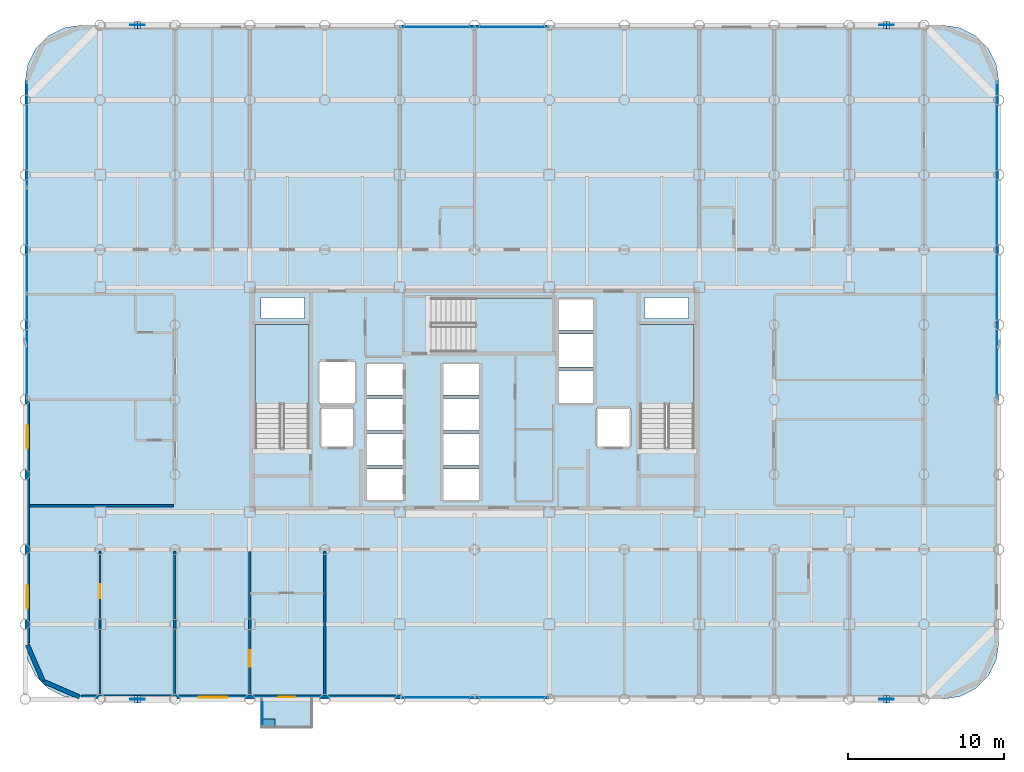
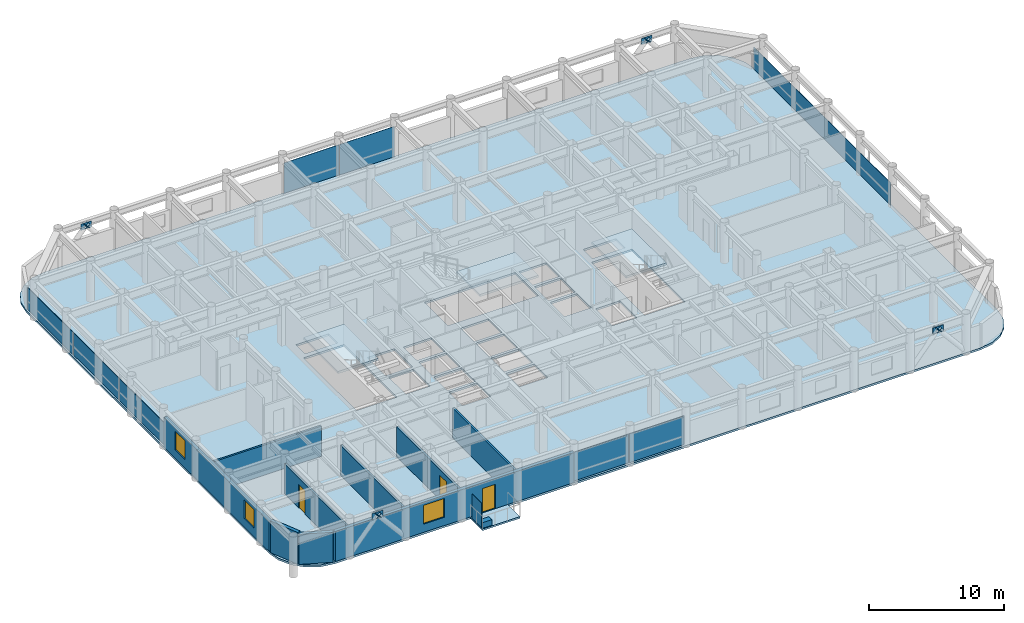
# One storey, part 16 of 22: 22 plates, 9 walls, 5 slabs, 3 doors, 3 windows, 6 openings, 7 elements without a shape of their own.
"""IFC4 building model written with IfcOpenShell, lengths in metres."""

from ifc_helpers import new_model, si_unit, direction, frame, frame_2d, origin, origin_2d, place, context, subcontext, project, spatial, polyline, rectangle, outline, extrude, material, layer, layer_set, type_object, element, fill, aggregate, save


model = new_model("IFC4")

# Units and contexts
model_context = context("Model", 3, precision=1e-05, world=origin(), true_north=direction((0.0, 1.0)))
body_context = subcontext(model_context, "Body", "Model", "MODEL_VIEW")
ifc_project = project(units=[si_unit("LENGTHUNIT", "METRE"), si_unit("AREAUNIT", "SQUARE_METRE"), si_unit("VOLUMEUNIT", "CUBIC_METRE"), si_unit("PLANEANGLEUNIT", "RADIAN"), si_unit("MASSUNIT", "GRAM", prefix="KILO")], contexts=[model_context])

# Site, building, storey
site_placement = place(None, origin())
site = spatial("IfcSite", under=ifc_project, at=site_placement, CompositionType="ELEMENT")
building_placement = place(site_placement, origin())
building = spatial("IfcBuilding", under=site, at=building_placement, Name="Kallvorn Hotel Tower", CompositionType="ELEMENT")
storey_placement = place(building_placement, frame((0.0, 0.0, 102.60009765625)))
storey = spatial("IfcBuildingStorey", under=building, at=storey_placement, Name="L24", CompositionType="ELEMENT", Elevation=102.60009765625)

# Curtain wall, plates
ifc_material_1 = material(Name="Thermally broken black-anodised aluminium AA 6063-T6", Category="aluminium")
ifc_layer_1 = layer(ifc_material_1, 0.199951171875)
ifc_layer_set_1 = layer_set([ifc_layer_1], Name="CW_SYS_3_HOTEL_LOW")
curtain_wall_type = type_object("IfcCurtainWallType", Name="CW_SYS_3_HOTEL_LOW", PredefinedType="USERDEFINED", material=ifc_layer_set_1)
curtain_wall_1_placement = place(storey_placement, origin())
curtain_wall_1 = element("IfcCurtainWall", 1, at=curtain_wall_1_placement, inside=storey, type_object=curtain_wall_type, Name="L24 Dark-Glass Curtain Wall CW-L24-SC", ObjectType="UNITISED CURTAIN WALL", PredefinedType="USERDEFINED")
ifc_material_2 = material(Name="Double-glazed low-e solar-control dark glass", Category="glass")
ifc_layer_2 = layer(ifc_material_2, 0.035888671875)
ifc_layer_set_2 = layer_set([ifc_layer_2], Name="CW_SYS_3_HOTEL_LOW_PANEL")
plate_type_1 = type_object("IfcPlateType", Name="CW_SYS_3_HOTEL_LOW_PANEL", PredefinedType="CURTAIN_PANEL", material=ifc_layer_set_2)
plate_1_placement = place(storey_placement, frame((-2.375, -19.080078125, 0.059814453125), z_axis=(0.0, 0.0, 1.0), x_axis=(1.0, 0.0, 0.0)))
plate_1 = element("IfcPlate", 2, at=plate_1_placement, type_object=plate_type_1, Name="CW-L24-SC Vision Glass Panel 00", PredefinedType="CURTAIN_PANEL", context=body_context, shape_type="SweptSolid", body=[
    extrude(rectangle(XDim=4.68994140625, YDim=0.035888671875, at=origin_2d()), origin(), (0.0, 0.0, 1.0), 2.60009765625),
])
plate_2_placement = place(storey_placement, frame((2.375, -19.080078125, 0.059814453125), z_axis=(0.0, 0.0, 1.0), x_axis=(1.0, 0.0, 0.0)))
plate_2 = element("IfcPlate", 3, at=plate_2_placement, type_object=plate_type_1, Name="CW-L24-SC Vision Glass Panel 01", PredefinedType="CURTAIN_PANEL", context=body_context, shape_type="SweptSolid", body=[
    extrude(rectangle(XDim=4.68994140625, YDim=0.035888671875, at=origin_2d()), origin(), (0.0, 0.0, 1.0), 2.60009765625),
])
aggregate(curtain_wall_1, [plate_1, plate_2])

curtain_wall_2_placement = place(storey_placement, origin())
curtain_wall_2 = element("IfcCurtainWall", 4, at=curtain_wall_2_placement, inside=storey, type_object=curtain_wall_type, Name="L24 Dark-Glass Curtain Wall CW-L24-NC", ObjectType="UNITISED CURTAIN WALL", PredefinedType="USERDEFINED")
plate_3_placement = place(storey_placement, frame((-2.375, 23.8798828125, 0.059814453125), z_axis=(0.0, 0.0, 1.0), x_axis=(1.0, 0.0, 0.0)))
plate_3 = element("IfcPlate", 5, at=plate_3_placement, type_object=plate_type_1, Name="CW-L24-NC Vision Glass Panel 00", PredefinedType="CURTAIN_PANEL", context=body_context, shape_type="SweptSolid", body=[
    extrude(rectangle(XDim=4.68994140625, YDim=0.035888671875, at=origin_2d()), origin(), (0.0, 0.0, 1.0), 2.75),
])
plate_4_placement = place(storey_placement, frame((2.375, 23.8798828125, 0.059814453125), z_axis=(0.0, 0.0, 1.0), x_axis=(1.0, 0.0, 0.0)))
plate_4 = element("IfcPlate", 6, at=plate_4_placement, type_object=plate_type_1, Name="CW-L24-NC Vision Glass Panel 01", PredefinedType="CURTAIN_PANEL", context=body_context, shape_type="SweptSolid", body=[
    extrude(rectangle(XDim=4.68994140625, YDim=0.035888671875, at=origin_2d()), origin(), (0.0, 0.0, 1.0), 2.75),
])
aggregate(curtain_wall_2, [plate_3, plate_4])

curtain_wall_3_placement = place(storey_placement, origin())
curtain_wall_3 = element("IfcCurtainWall", 7, at=curtain_wall_3_placement, inside=storey, type_object=curtain_wall_type, Name="L24 Dark-Glass Curtain Wall CW-L24-WN", ObjectType="UNITISED CURTAIN WALL", PredefinedType="USERDEFINED")
plate_5_placement = place(storey_placement, frame((-28.679931640625, 3.41650390625, 0.059814453125), z_axis=(0.0, 0.0, 1.0), x_axis=(0.0, 1.0, 0.0)))
plate_5 = element("IfcPlate", 8, at=plate_5_placement, type_object=plate_type_1, Name="CW-L24-WN Vision Glass Panel 00", PredefinedType="CURTAIN_PANEL", context=body_context, shape_type="SweptSolid", body=[
    extrude(rectangle(XDim=6.7333984375, YDim=0.035888671875, at=origin_2d()), origin(), (0.0, 0.0, 1.0), 2.0),
])
plate_6_placement = place(storey_placement, frame((-28.679931640625, 10.2099609375, 0.059814453125), z_axis=(0.0, 0.0, 1.0), x_axis=(0.0, 1.0, 0.0)))
plate_6 = element("IfcPlate", 9, at=plate_6_placement, type_object=plate_type_1, Name="CW-L24-WN Vision Glass Panel 01", PredefinedType="CURTAIN_PANEL", context=body_context, shape_type="SweptSolid", body=[
    extrude(rectangle(XDim=6.7333984375, YDim=0.035888671875, at=origin_2d()), origin(), (0.0, 0.0, 1.0), 2.0),
])
plate_7_placement = place(storey_placement, frame((-28.679931640625, 17.00341796875, 0.059814453125), z_axis=(0.0, 0.0, 1.0), x_axis=(0.0, 1.0, 0.0)))
plate_7 = element("IfcPlate", 10, at=plate_7_placement, type_object=plate_type_1, Name="CW-L24-WN Vision Glass Panel 02", PredefinedType="CURTAIN_PANEL", context=body_context, shape_type="SweptSolid", body=[
    extrude(rectangle(XDim=6.7333984375, YDim=0.035888671875, at=origin_2d()), origin(), (0.0, 0.0, 1.0), 2.0),
])
aggregate(curtain_wall_3, [plate_5, plate_6, plate_7])

# Curtain wall, plate
curtain_wall_4_placement = place(storey_placement, origin())
curtain_wall_4 = element("IfcCurtainWall", 11, at=curtain_wall_4_placement, inside=storey, type_object=curtain_wall_type, Name="L24 Dark-Glass Curtain Wall CW-L24-EN", ObjectType="UNITISED CURTAIN WALL", PredefinedType="USERDEFINED")
plate_8_placement = place(storey_placement, frame((33.47998046875, 10.2099609375, 0.059814453125), z_axis=(0.0, 0.0, 1.0), x_axis=(0.0, 1.0, 0.0)))
plate_8 = element("IfcPlate", 12, at=plate_8_placement, type_object=plate_type_1, Name="CW-L24-EN Vision Glass Panel 00", PredefinedType="CURTAIN_PANEL", context=body_context, shape_type="SweptSolid", body=[
    extrude(rectangle(XDim=20.320068359375, YDim=0.035888671875, at=origin_2d()), origin(), (0.0, 0.0, 1.0), 2.0),
])
aggregate(curtain_wall_4, [plate_8])

# Plates
ifc_material_3 = material(Name="Structural steel S355JR", Category="steel")
ifc_layer_3 = layer(ifc_material_3, 0.030029296875)
ifc_layer_set_3 = layer_set([ifc_layer_3], Name="PLT_CAP_30")
plate_type_2 = type_object("IfcPlateType", Name="PLT_CAP_30", PredefinedType="SHEET", material=ifc_layer_set_3)
for number, where, z_axis, x_axis, name in (
    (13, (-21.407958984375, -19.443115234375, 2.860107421875), (0.646774094145, 0.0, 0.762681631575), (0.0, 1.0, 0.0), "EXO-L24-S1A End Cap Plate B"),
    (14, (-21.7919921875, -18.956787109375, 2.860107421875), (-0.646774094145, 0.0, 0.762681631575), (0.0, -1.0, 0.0), "EXO-L24-S1B End Cap Plate B"),
    (15, (26.592041015625, -19.443115234375, 2.860107421875), (0.646774094145, 0.0, 0.762681631575), (0.0, 1.0, 0.0), "EXO-L24-S2A End Cap Plate B"),
    (16, (26.2080078125, -18.956787109375, 2.860107421875), (-0.646774094145, 0.0, 0.762681631575), (0.0, -1.0, 0.0), "EXO-L24-S2B End Cap Plate B"),
    (17, (-21.407958984375, 23.7568359375, 2.860107421875), (0.646774094145, 0.0, 0.762681631575), (0.0, 1.0, 0.0), "EXO-L24-N1A End Cap Plate B"),
    (18, (-21.7919921875, 24.2431640625, 2.860107421875), (-0.646774094145, 0.0, 0.762681631575), (0.0, -1.0, 0.0), "EXO-L24-N1B End Cap Plate B"),
    (19, (26.592041015625, 23.7568359375, 2.860107421875), (0.646774094145, 0.0, 0.762681631575), (0.0, 1.0, 0.0), "EXO-L24-N2A End Cap Plate B"),
    (20, (26.2080078125, 24.2431640625, 2.860107421875), (-0.646774094145, 0.0, 0.762681631575), (0.0, -1.0, 0.0), "EXO-L24-N2B End Cap Plate B"),
):
    element("IfcPlate", number, at=place(storey_placement, frame(where, z_axis=z_axis, x_axis=x_axis)), inside=storey, type_object=plate_type_2, Name=name, PredefinedType="SHEET", context=body_context, shape_type="SweptSolid", body=[
        extrude(outline(polyline([(0.0, 0.0), (0.486328125, 0.0), (0.486328125, 0.4865644256220488), (0.0, 0.4865644256220488), (0.0, 0.0)])), origin(), (0.0, 0.0, -1.0), 0.030029296875),
    ])
ifc_material_4 = material(Name="Stainless-steel cable trellis and botanical substrate", Category="steel")
ifc_layer_4 = layer(ifc_material_4, 0.034912109375)
ifc_layer_set_4 = layer_set([ifc_layer_4], Name="PLT_GREENERY_SCR")
plate_type_3 = type_object("IfcPlateType", Name="PLT_GREENERY_SCR", PredefinedType="USERDEFINED", material=ifc_layer_set_4)
plate_9_placement = place(storey_placement, frame((-13.590087890625, -20.10009765625, 0.0), z_axis=(0.0, 0.0, 1.0), x_axis=(1.0, 0.0, 0.0)))
element("IfcPlate", 21, at=plate_9_placement, inside=storey, type_object=plate_type_3, Name="BALC-L24-S1 Vertical Greenery Trellis Screen", ObjectType="VERTICAL GREENERY SCREEN", PredefinedType="USERDEFINED", context=body_context, shape_type="SweptSolid", body=[
    extrude(rectangle(XDim=0.034912109375, YDim=1.39990234375, at=origin_2d()), origin(), (0.0, 0.0, 1.0), 2.199951171875),
])
ifc_material_5 = material(Name="Structural steel S355JR", Category="steel")
ifc_layer_5 = layer(ifc_material_5, 0.044921875)
ifc_layer_set_5 = layer_set([ifc_layer_5], Name="PLT_GUSSET_45")
plate_type_4 = type_object("IfcPlateType", Name="PLT_GUSSET_45", PredefinedType="USERDEFINED", material=ifc_layer_set_5)
for number, where, z_axis, x_axis, name in (
    (22, (-21.60009765625, -19.199951171875, 2.68994140625), (0.0, 0.0, 1.0), (1.0, 0.0, 0.0), "L24 Exoskeleton Node Gusset S1"),
    (23, (26.39990234375, -19.199951171875, 2.68994140625), (0.0, 0.0, 1.0), (1.0, 0.0, 0.0), "L24 Exoskeleton Node Gusset S2"),
    (24, (-21.60009765625, 24.0, 2.68994140625), (0.0, 0.0, 1.0), (1.0, 0.0, 0.0), "L24 Exoskeleton Node Gusset N1"),
    (25, (26.39990234375, 24.0, 2.68994140625), (0.0, 0.0, 1.0), (1.0, 0.0, 0.0), "L24 Exoskeleton Node Gusset N2"),
):
    element("IfcPlate", number, at=place(storey_placement, frame(where, z_axis=z_axis, x_axis=x_axis)), inside=storey, type_object=plate_type_4, Name=name, ObjectType="GUSSET PLATE", PredefinedType="USERDEFINED", context=body_context, shape_type="SweptSolid", body=[
        extrude(rectangle(XDim=0.89990234375, YDim=0.044921875, at=origin_2d()), origin(), (0.0, 0.0, 1.0), 0.56005859375),
    ])
ifc_material_6 = material(Name="Powder-coated marine-grade aluminium planter trough", Category="aluminium")
ifc_layer_6 = layer(ifc_material_6, 0.0400390625)
ifc_layer_set_6 = layer_set([ifc_layer_6], Name="PLT_PLANTER_TROUGH")
plate_type_5 = type_object("IfcPlateType", Name="PLT_PLANTER_TROUGH", PredefinedType="USERDEFINED", material=ifc_layer_set_6)
plate_10_placement = place(storey_placement, frame((-13.18994140625, -20.699951171875, 0.0), z_axis=(0.0, 0.0, 1.0), x_axis=(1.0, 0.0, 0.0)))
element("IfcPlate", 26, at=plate_10_placement, inside=storey, type_object=plate_type_5, Name="BALC-L24-S1 Facade Planter Trough", ObjectType="FACADE PLANTER TROUGH", PredefinedType="USERDEFINED", context=body_context, shape_type="SweptSolid", body=[
    extrude(rectangle(XDim=0.800048828125, YDim=0.449951171875, at=origin_2d()), origin(), (0.0, 0.0, 1.0), 0.5),
])

# Slab
ifc_material_7 = material(Name="Concrete C40/50", Category="concrete")
ifc_layer_7 = layer(ifc_material_7, 0.159912109375)
ifc_layer_set_7 = layer_set([ifc_layer_7], Name="SLB_BALCONY_160")
slab_type_1 = type_object("IfcSlabType", Name="SLB_BALCONY_160", PredefinedType="FLOOR", material=ifc_layer_set_7)
slab_1_placement = place(storey_placement, frame((0.0, 0.0, -0.16015625)))
element("IfcSlab", 27, at=slab_1_placement, inside=storey, type_object=slab_type_1, Name="L24 Planted Loggia Balcony BALC-L24-S1", PredefinedType="FLOOR", context=body_context, shape_type="SweptSolid", body=[
    extrude(outline(polyline([(-13.639892578125, -21.0), (-10.43994140625, -21.0), (-10.43994140625, -19.199951171875), (-13.639892578125, -19.199951171875), (-13.639892578125, -21.0)])), origin(), (0.0, 0.0, 1.0), 0.16015625),
])

# Stair, slab
ifc_material_8 = material(Name="Precast concrete C40/50", Category="concrete")
stair_type = type_object("IfcStairType", Name="STR_CORE_DOGLEG", PredefinedType="HALF_TURN_STAIR", material=ifc_material_8)
stair_1_placement = place(storey_placement, origin())
stair_1 = element("IfcStair", 28, at=stair_1_placement, inside=storey, type_object=stair_type, Name="L24 Exit stair ST1", PredefinedType="HALF_TURN_STAIR")
ifc_material_9 = material(Name="Precast concrete C40/50", Category="concrete")
ifc_layer_8 = layer(ifc_material_9, 0.179931640625)
ifc_layer_set_8 = layer_set([ifc_layer_8], Name="SLB_LANDING_180")
slab_type_2 = type_object("IfcSlabType", Name="SLB_LANDING_180", PredefinedType="LANDING", material=ifc_layer_set_8)
slab_2_placement = place(storey_placement, frame((0.0, 0.0, 1.64990234375)))
slab_2 = element("IfcSlab", 29, at=slab_2_placement, type_object=slab_type_2, Name="ST1 landing 1", PredefinedType="LANDING", context=body_context, shape_type="SweptSolid", body=[
    extrude(outline(polyline([(-10.60009765625, -0.31005859375), (-10.60009765625, 4.800048828125), (-14.06005859375, 4.800048828125), (-14.06005859375, -0.31005859375), (-10.60009765625, -0.31005859375)])), origin(), (0.0, 0.0, 1.0), 0.199951171875),
])
aggregate(stair_1, [slab_2])

stair_2_placement = place(storey_placement, origin())
stair_2 = element("IfcStair", 30, at=stair_2_placement, inside=storey, type_object=stair_type, Name="L24 Exit stair ST2", PredefinedType="HALF_TURN_STAIR")
slab_3_placement = place(storey_placement, frame((0.0, 0.0, 1.64990234375)))
slab_3 = element("IfcSlab", 31, at=slab_3_placement, type_object=slab_type_2, Name="ST2 landing 1", PredefinedType="LANDING", context=body_context, shape_type="SweptSolid", body=[
    extrude(outline(polyline([(14.06005859375, -0.31005859375), (14.06005859375, 4.800048828125), (10.60009765625, 4.800048828125), (10.60009765625, -0.31005859375), (14.06005859375, -0.31005859375)])), origin(), (0.0, 0.0, 1.0), 0.199951171875),
])
aggregate(stair_2, [slab_3])

stair_3_placement = place(storey_placement, origin())
stair_3 = element("IfcStair", 32, at=stair_3_placement, inside=storey, type_object=stair_type, Name="L24 Exit stair ST3", PredefinedType="HALF_TURN_STAIR")
slab_4_placement = place(storey_placement, frame((0.0, 0.0, 1.64990234375)))
slab_4 = element("IfcSlab", 33, at=slab_4_placement, type_object=slab_type_2, Name="ST3 landing 1", PredefinedType="LANDING", context=body_context, shape_type="SweptSolid", body=[
    extrude(outline(polyline([(0.0400390625, 3.050048828125), (5.050048828125, 3.050048828125), (5.050048828125, 6.510009765625), (0.0400390625, 6.510009765625), (0.0400390625, 3.050048828125)])), origin(), (0.0, 0.0, 1.0), 0.199951171875),
])
aggregate(stair_3, [slab_4])

# Slab
ifc_material_10 = material(Name="Concrete C40/50", Category="concrete")
ifc_layer_9 = layer(ifc_material_10, 0.179931640625)
ifc_layer_set_9 = layer_set([ifc_layer_9], Name="SLB_TOWER_180")
slab_type_3 = type_object("IfcSlabType", Name="SLB_TOWER_180", PredefinedType="FLOOR", material=ifc_layer_set_9)
slab_5_placement = place(storey_placement, frame((0.0, 0.0, -0.18017578125)))
element("IfcSlab", 34, at=slab_5_placement, inside=storey, type_object=slab_type_3, Name="L24 Structural Floor Slab", PredefinedType="FLOOR", context=body_context, shape_type="SweptSolid", body=[
    extrude(outline(polyline([(30.0, -19.199951171875), (31.112548828125, -19.023681640625), (32.115966796875, -18.512451171875), (32.91259765625, -17.716064453125), (33.423828125, -16.71240234375), (33.60009765625, -15.60009765625), (33.60009765625, 20.39990234375), (33.423828125, 21.512451171875), (32.91259765625, 22.51611328125), (32.115966796875, 23.3125), (31.112548828125, 23.82373046875), (30.0, 24.0), (-25.199951171875, 24.0), (-26.3125, 23.82373046875), (-27.31591796875, 23.3125), (-28.112548828125, 22.51611328125), (-28.623779296875, 21.512451171875), (-28.800048828125, 20.39990234375), (-28.800048828125, -15.60009765625), (-28.623779296875, -16.71240234375), (-28.112548828125, -17.716064453125), (-27.31591796875, -18.512451171875), (-26.3125, -19.023681640625), (-25.199951171875, -19.199951171875), (30.0, -19.199951171875)]), holes=[polyline([(-10.60009765625, -3.070068359375), (-10.60009765625, 4.800048828125), (-14.06005859375, 4.800048828125), (-14.06005859375, -3.070068359375), (-10.60009765625, -3.070068359375)]), polyline([(14.06005859375, -3.070068359375), (14.06005859375, 4.800048828125), (10.60009765625, 4.800048828125), (10.60009765625, -3.070068359375), (14.06005859375, -3.070068359375)]), polyline([(-2.719970703125, 3.050048828125), (5.050048828125, 3.050048828125), (5.050048828125, 6.510009765625), (-2.719970703125, 6.510009765625), (-2.719970703125, 3.050048828125)]), polyline([(-6.949951171875, -6.449951171875), (-4.550048828125, -6.449951171875), (-4.550048828125, -4.449951171875), (-6.949951171875, -4.449951171875), (-6.949951171875, -6.449951171875)]), polyline([(-6.949951171875, -4.199951171875), (-4.550048828125, -4.199951171875), (-4.550048828125, -2.199951171875), (-6.949951171875, -2.199951171875), (-6.949951171875, -4.199951171875)]), polyline([(-6.949951171875, -1.949951171875), (-4.550048828125, -1.949951171875), (-4.550048828125, 0.050048828125), (-6.949951171875, 0.050048828125), (-6.949951171875, -1.949951171875)]), polyline([(-6.949951171875, 0.300048828125), (-4.550048828125, 0.300048828125), (-4.550048828125, 2.300048828125), (-6.949951171875, 2.300048828125), (-6.949951171875, 0.300048828125)]), polyline([(-2.050048828125, -6.449951171875), (0.35009765625, -6.449951171875), (0.35009765625, -4.449951171875), (-2.050048828125, -4.449951171875), (-2.050048828125, -6.449951171875)]), polyline([(-2.050048828125, -4.199951171875), (0.35009765625, -4.199951171875), (0.35009765625, -2.199951171875), (-2.050048828125, -2.199951171875), (-2.050048828125, -4.199951171875)]), polyline([(-2.050048828125, -1.949951171875), (0.35009765625, -1.949951171875), (0.35009765625, 0.050048828125), (-2.050048828125, 0.050048828125), (-2.050048828125, -1.949951171875)]), polyline([(-2.050048828125, 0.300048828125), (0.35009765625, 0.300048828125), (0.35009765625, 2.300048828125), (-2.050048828125, 2.300048828125), (-2.050048828125, 0.300048828125)]), polyline([(5.35009765625, -0.25), (7.64990234375, -0.25), (7.64990234375, 1.85009765625), (5.35009765625, 1.85009765625), (5.35009765625, -0.25)]), polyline([(5.35009765625, 2.10009765625), (7.64990234375, 2.10009765625), (7.64990234375, 4.199951171875), (5.35009765625, 4.199951171875), (5.35009765625, 2.10009765625)]), polyline([(5.35009765625, 4.449951171875), (7.64990234375, 4.449951171875), (7.64990234375, 6.449951171875), (5.35009765625, 6.449951171875), (5.35009765625, 4.449951171875)]), polyline([(-9.85009765625, -3.050048828125), (-7.75, -3.050048828125), (-7.75, -0.550048828125), (-9.85009765625, -0.550048828125), (-9.85009765625, -3.050048828125)]), polyline([(7.85009765625, -3.050048828125), (9.949951171875, -3.050048828125), (9.949951171875, -0.550048828125), (7.85009765625, -0.550048828125), (7.85009765625, -3.050048828125)]), polyline([(-9.949951171875, -0.25), (-7.64990234375, -0.25), (-7.64990234375, 2.449951171875), (-9.949951171875, 2.449951171875), (-9.949951171875, -0.25)]), polyline([(-13.699951171875, 5.199951171875), (-10.89990234375, 5.199951171875), (-10.89990234375, 6.550048828125), (-13.699951171875, 6.550048828125), (-13.699951171875, 5.199951171875)]), polyline([(10.89990234375, 5.199951171875), (13.699951171875, 5.199951171875), (13.699951171875, 6.550048828125), (10.89990234375, 6.550048828125), (10.89990234375, 5.199951171875)])]), origin(), (0.0, 0.0, 1.0), 0.18017578125),
])

# Walls
ifc_material_11 = material(Name="Fire-rated double-layer acoustic gypsum drywall EI 60")
ifc_layer_10 = layer(ifc_material_11, 0.159912109375)
ifc_layer_set_10 = layer_set([ifc_layer_10], Name="WL_DEMISE_160")
wall_type_1 = type_object("IfcWallType", Name="WL_DEMISE_160", PredefinedType="PARTITIONING", material=ifc_layer_set_10)
wall_1_placement = place(storey_placement, frame((-28.510009765625, -6.800048828125, 0.0), z_axis=(0.0, 0.0, 1.0), x_axis=(1.0, 0.0, 0.0)))
element("IfcWall", 35, at=wall_1_placement, inside=storey, type_object=wall_type_1, Name="L24 Suite 2401 W Loggia King Room Partition", PredefinedType="PARTITIONING", context=body_context, shape_type="SweptSolid", body=[
    extrude(rectangle(XDim=9.22998046875, YDim=0.159912109375, at=frame_2d((4.614990234375, 0.0))), origin(), (0.0, 0.0, 1.0), 2.719970703125),
])
wall_2_placement = place(storey_placement, frame((-19.199951171875, -18.909912109375, 0.0), z_axis=(0.0, 0.0, 1.0), x_axis=(0.0, 1.0, 0.0)))
element("IfcWall", 36, at=wall_2_placement, inside=storey, type_object=wall_type_1, Name="L24 Suite 2403 Executive Living Salon Partition", PredefinedType="PARTITIONING", context=body_context, shape_type="SweptSolid", body=[
    extrude(rectangle(XDim=9.18994140625, YDim=0.159912109375, at=frame_2d((4.594970703125, 0.0))), origin(), (0.0, 0.0, 1.0), 2.719970703125),
])

# Wall, opening, door
wall_3_placement = place(storey_placement, frame((-14.39990234375, -18.909912109375, 0.0), z_axis=(0.0, 0.0, 1.0), x_axis=(0.0, 1.0, 0.0)))
wall_3 = element("IfcWall", 37, at=wall_3_placement, inside=storey, type_object=wall_type_1, Name="L24 Suite 2403 Executive Bedroom Partition", PredefinedType="PARTITIONING", context=body_context, shape_type="SweptSolid", body=[
    extrude(rectangle(XDim=9.18994140625, YDim=0.159912109375, at=frame_2d((4.594970703125, 0.0))), origin(), (0.0, 0.0, 1.0), 2.719970703125),
])
opening_1_placement = place(wall_3_placement, frame((1.79296875, 0.0, 0.0)))
opening_1 = element("IfcOpeningElement", 38, at=opening_1_placement, cuts=wall_3, Name="Opening GD2", PredefinedType="OPENING", context=body_context, shape_type="SweptSolid", body=[
    extrude(rectangle(XDim=1.050048828125, YDim=2.199951171875, at=frame_2d((0.52490234375, 1.10009765625))), frame((0.0, 0.094970703125, 0.0), z_axis=(0.0, -1.0, 0.0), x_axis=(1.0, 0.0, 0.0)), (0.0, 0.0, 1.0), 0.18994140625),
])
ifc_material_12 = material(Name="Solid-core walnut veneer fire-rated timber door leaf", Category="wood")
door_type_1 = type_object("IfcDoorType", Name="DR_SUITE_1050x2200", OperationType="NOTDEFINED", PredefinedType="DOOR", material=ifc_material_12)
door_1_placement = place(opening_1_placement, origin())
door_1 = element("IfcDoor", 39, at=door_1_placement, inside=storey, type_object=door_type_1, Name="L24 Suite 2403 Executive Bedroom Door", OperationType="SINGLE_SWING_LEFT", OverallHeight=2.199951171875, OverallWidth=1.050048828125, PredefinedType="DOOR", context=body_context, shape_type="SweptSolid", body=[
    extrude(rectangle(XDim=1.050048828125, YDim=2.199951171875, at=frame_2d((0.52490234375, 1.10009765625))), frame((0.0, 0.02490234375, 0.0), z_axis=(0.0, -1.0, 0.0), x_axis=(1.0, 0.0, 0.0)), (0.0, 0.0, 1.0), 0.050048828125),
])
fill(opening_1, door_1)

# Walls
wall_4_placement = place(storey_placement, frame((-9.60009765625, -18.909912109375, 0.0), z_axis=(0.0, 0.0, 1.0), x_axis=(0.0, 1.0, 0.0)))
element("IfcWall", 40, at=wall_4_placement, inside=storey, type_object=wall_type_1, Name="L24 Suite 2403 Executive Bedroom Partition", PredefinedType="PARTITIONING", context=body_context, shape_type="SweptSolid", body=[
    extrude(rectangle(XDim=9.18994140625, YDim=0.159912109375, at=frame_2d((4.594970703125, 0.0))), origin(), (0.0, 0.0, 1.0), 2.719970703125),
])
ifc_material_13 = material(Name="Precast basalt-clad insulated concrete wall C40/50", Category="masonry")
ifc_layer_11 = layer(ifc_material_13, 0.280029296875)
ifc_layer_set_11 = layer_set([ifc_layer_11], Name="WL_EXT_LOGGIA_280")
wall_type_2 = type_object("IfcWallType", Name="WL_EXT_LOGGIA_280", PredefinedType="SOLIDWALL", material=ifc_layer_set_11)
wall_5_placement = place(storey_placement, frame((-28.657958984375, -15.720703125, 0.0), z_axis=(0.0, 0.0, 1.0), x_axis=(0.398792985289, -0.917040977756, 0.0)))
element("IfcWall", 41, at=wall_5_placement, inside=storey, type_object=wall_type_2, Name="L24 Rounded Corner Exterior Wall SW1", PredefinedType="SOLIDWALL", context=body_context, shape_type="SweptSolid", body=[
    extrude(rectangle(XDim=2.536376953125, YDim=0.280029296875, at=frame_2d((1.26806640625, 0.0))), origin(), (0.0, 0.0, 1.0), 2.869873046875),
])
wall_6_placement = place(storey_placement, frame((-27.646484375, -18.046630859375, 0.0), z_axis=(0.0, 0.0, 1.0), x_axis=(0.917060872934, -0.398747232384, 0.0)))
element("IfcWall", 42, at=wall_6_placement, inside=storey, type_object=wall_type_2, Name="L24 Rounded Corner Exterior Wall SW2", PredefinedType="SOLIDWALL", context=body_context, shape_type="SweptSolid", body=[
    extrude(rectangle(XDim=2.5361328125, YDim=0.280029296875, at=frame_2d((1.26806640625, 0.0))), origin(), (0.0, 0.0, 1.0), 2.719970703125),
])

# Wall, openings, door, window
wall_7_placement = place(storey_placement, frame((-25.199951171875, -19.06005859375, 0.0), z_axis=(0.0, 0.0, 1.0), x_axis=(1.0, 0.0, 0.0)))
wall_7 = element("IfcWall", 43, at=wall_7_placement, inside=storey, type_object=wall_type_2, Name="L24 Exterior Envelope Wall EW-L24-SW", PredefinedType="SOLIDWALL", context=body_context, shape_type="SweptSolid", body=[
    extrude(rectangle(XDim=20.449951171875, YDim=0.280029296875, at=frame_2d((10.22509765625, 0.0))), origin(), (0.0, 0.0, 1.0), 2.719970703125),
])
opening_2_placement = place(wall_7_placement, frame((7.5400390625, 0.0, 0.75)))
opening_2 = element("IfcOpeningElement", 44, at=opening_2_placement, cuts=wall_7, Name="Opening W04", PredefinedType="OPENING", context=body_context, shape_type="SweptSolid", body=[
    extrude(rectangle(XDim=1.800048828125, YDim=1.699951171875, at=frame_2d((0.89990234375, 0.85009765625))), frame((0.0, 0.155029296875, 0.0), z_axis=(0.0, -1.0, 0.0), x_axis=(1.0, 0.0, 0.0)), (0.0, 0.0, 1.0), 0.31005859375),
])
opening_3_placement = place(wall_7_placement, frame((12.610107421875, 0.0, 0.0)))
opening_3 = element("IfcOpeningElement", 45, at=opening_3_placement, cuts=wall_7, Name="Opening BD1", PredefinedType="OPENING", context=body_context, shape_type="SweptSolid", body=[
    extrude(rectangle(XDim=1.10009765625, YDim=2.199951171875, at=frame_2d((0.550048828125, 1.10009765625))), frame((0.0, 0.155029296875, 0.0), z_axis=(0.0, -1.0, 0.0), x_axis=(1.0, 0.0, 0.0)), (0.0, 0.0, 1.0), 0.31005859375),
])
ifc_material_14 = material(Name="Double-glazed low-e solar-control dark glass", Category="glass")
door_type_2 = type_object("IfcDoorType", Name="DR_BALC_GLZ_1100x2200", OperationType="NOTDEFINED", PredefinedType="DOOR", material=ifc_material_14)
door_2_placement = place(opening_3_placement, origin())
door_2 = element("IfcDoor", 46, at=door_2_placement, inside=storey, type_object=door_type_2, Name="L24 Loggia Balcony Glazed Door BALC-L24-S1", OperationType="SINGLE_SWING_LEFT", OverallHeight=2.199951171875, OverallWidth=1.10009765625, PredefinedType="DOOR", context=body_context, shape_type="SweptSolid", body=[
    extrude(rectangle(XDim=1.10009765625, YDim=2.199951171875, at=frame_2d((0.550048828125, 1.10009765625))), frame((0.0, 0.02490234375, 0.0), z_axis=(0.0, -1.0, 0.0), x_axis=(1.0, 0.0, 0.0)), (0.0, 0.0, 1.0), 0.050048828125),
])
fill(opening_3, door_2)
ifc_material_15 = material(Name="Double-glazed low-e solar-control dark glass", Category="glass")
window_type_1 = type_object("IfcWindowType", Name="WN_HTL_1800x1700", PartitioningType="SINGLE_PANEL", PredefinedType="WINDOW", material=ifc_material_15)
window_1_placement = place(opening_2_placement, origin())
window_1 = element("IfcWindow", 47, at=window_1_placement, inside=storey, type_object=window_type_1, Name="L24 Guestroom Exterior Window 04", OverallHeight=1.699951171875, OverallWidth=1.800048828125, PartitioningType="SINGLE_PANEL", PredefinedType="WINDOW", context=body_context, shape_type="SweptSolid", body=[
    extrude(rectangle(XDim=1.800048828125, YDim=1.699951171875, at=frame_2d((0.89990234375, 0.85009765625))), frame((0.0, 0.030029296875, 0.0), z_axis=(0.0, -1.0, 0.0), x_axis=(1.0, 0.0, 0.0)), (0.0, 0.0, 1.0), 0.06005859375),
])
fill(opening_2, window_1)

# Wall, openings, windows
wall_8_placement = place(storey_placement, frame((-28.659912109375, -15.60009765625, 0.0), z_axis=(0.0, 0.0, 1.0), x_axis=(0.0, 1.0, 0.0)))
wall_8 = element("IfcWall", 48, at=wall_8_placement, inside=storey, type_object=wall_type_2, Name="L24 Exterior Envelope Wall EW-L24-WS", PredefinedType="SOLIDWALL", context=body_context, shape_type="SweptSolid", body=[
    extrude(rectangle(XDim=15.580078125, YDim=0.280029296875, at=frame_2d((7.7900390625, 0.0))), origin(), (0.0, 0.0, 1.0), 2.719970703125),
])
opening_4_placement = place(wall_8_placement, frame((2.18994140625, 0.0, 0.75)))
opening_4 = element("IfcOpeningElement", 49, at=opening_4_placement, cuts=wall_8, Name="Opening W05", PredefinedType="OPENING", context=body_context, shape_type="SweptSolid", body=[
    extrude(rectangle(XDim=1.5, YDim=1.699951171875, at=frame_2d((0.75, 0.85009765625))), frame((0.0, 0.155029296875, 0.0), z_axis=(0.0, -1.0, 0.0), x_axis=(1.0, 0.0, 0.0)), (0.0, 0.0, 1.0), 0.31005859375),
])
opening_5_placement = place(wall_8_placement, frame((12.449951171875, 0.0, 0.75)))
opening_5 = element("IfcOpeningElement", 50, at=opening_5_placement, cuts=wall_8, Name="Opening W05", PredefinedType="OPENING", context=body_context, shape_type="SweptSolid", body=[
    extrude(rectangle(XDim=1.5, YDim=1.699951171875, at=frame_2d((0.75, 0.85009765625))), frame((0.0, 0.155029296875, 0.0), z_axis=(0.0, -1.0, 0.0), x_axis=(1.0, 0.0, 0.0)), (0.0, 0.0, 1.0), 0.31005859375),
])
ifc_material_16 = material(Name="Double-glazed low-e solar-control dark glass", Category="glass")
window_type_2 = type_object("IfcWindowType", Name="WN_HTL_1500x1700", PartitioningType="SINGLE_PANEL", PredefinedType="WINDOW", material=ifc_material_16)
window_2_placement = place(opening_4_placement, origin())
window_2 = element("IfcWindow", 51, at=window_2_placement, inside=storey, type_object=window_type_2, Name="L24 Flank Wing Window 01", OverallHeight=1.699951171875, OverallWidth=1.5, PartitioningType="SINGLE_PANEL", PredefinedType="WINDOW", context=body_context, shape_type="SweptSolid", body=[
    extrude(rectangle(XDim=1.5, YDim=1.699951171875, at=frame_2d((0.75, 0.85009765625))), frame((0.0, 0.030029296875, 0.0), z_axis=(0.0, -1.0, 0.0), x_axis=(1.0, 0.0, 0.0)), (0.0, 0.0, 1.0), 0.06005859375),
])
fill(opening_4, window_2)
window_3_placement = place(opening_5_placement, origin())
window_3 = element("IfcWindow", 52, at=window_3_placement, inside=storey, type_object=window_type_2, Name="L24 Flank Wing Window 03", OverallHeight=1.699951171875, OverallWidth=1.5, PartitioningType="SINGLE_PANEL", PredefinedType="WINDOW", context=body_context, shape_type="SweptSolid", body=[
    extrude(rectangle(XDim=1.5, YDim=1.699951171875, at=frame_2d((0.75, 0.85009765625))), frame((0.0, 0.030029296875, 0.0), z_axis=(0.0, -1.0, 0.0), x_axis=(1.0, 0.0, 0.0)), (0.0, 0.0, 1.0), 0.06005859375),
])
fill(opening_5, window_3)

# Wall, opening, door
ifc_material_17 = material(Name="Fire-rated double-layer acoustic gypsum drywall EI 60")
ifc_layer_12 = layer(ifc_material_17, 0.14990234375)
ifc_layer_set_12 = layer_set([ifc_layer_12], Name="WL_PART_150")
wall_type_3 = type_object("IfcWallType", Name="WL_PART_150", PredefinedType="PARTITIONING", material=ifc_layer_set_12)
wall_9_placement = place(storey_placement, frame((-24.0, -18.909912109375, 0.0), z_axis=(0.0, 0.0, 1.0), x_axis=(0.0, 1.0, 0.0)))
wall_9 = element("IfcWall", 53, at=wall_9_placement, inside=storey, type_object=wall_type_3, Name="L24 L24 South-West Botanical Bar A Partition", PredefinedType="PARTITIONING", context=body_context, shape_type="SweptSolid", body=[
    extrude(rectangle(XDim=9.18994140625, YDim=0.14990234375, at=frame_2d((4.594970703125, 0.0))), origin(), (0.0, 0.0, 1.0), 2.719970703125),
])
opening_6_placement = place(wall_9_placement, frame((6.18212890625, 0.0, 0.0)))
opening_6 = element("IfcOpeningElement", 54, at=opening_6_placement, cuts=wall_9, Name="Opening SVD1", PredefinedType="OPENING", context=body_context, shape_type="SweptSolid", body=[
    extrude(rectangle(XDim=0.89990234375, YDim=2.10009765625, at=frame_2d((0.449951171875, 1.050048828125))), frame((0.0, 0.08984375, 0.0), z_axis=(0.0, -1.0, 0.0), x_axis=(1.0, 0.0, 0.0)), (0.0, 0.0, 1.0), 0.179931640625),
])
ifc_material_18 = material(Name="Galvanised painted steel fire-rated door assembly", Category="steel")
door_type_3 = type_object("IfcDoorType", Name="DR_SERV_900x2100", OperationType="NOTDEFINED", PredefinedType="DOOR", material=ifc_material_18)
door_3_placement = place(opening_6_placement, origin())
door_3 = element("IfcDoor", 55, at=door_3_placement, inside=storey, type_object=door_type_3, Name="L24 L24 South-West Botanical Bar A Door", OperationType="SINGLE_SWING_RIGHT", OverallHeight=2.10009765625, OverallWidth=0.89990234375, PredefinedType="DOOR", context=body_context, shape_type="SweptSolid", body=[
    extrude(rectangle(XDim=0.89990234375, YDim=2.10009765625, at=frame_2d((0.449951171875, 1.050048828125))), frame((0.0, 0.02490234375, 0.0), z_axis=(0.0, -1.0, 0.0), x_axis=(1.0, 0.0, 0.0)), (0.0, 0.0, 1.0), 0.050048828125),
])
fill(opening_6, door_3)

save(model, "model.ifc")
